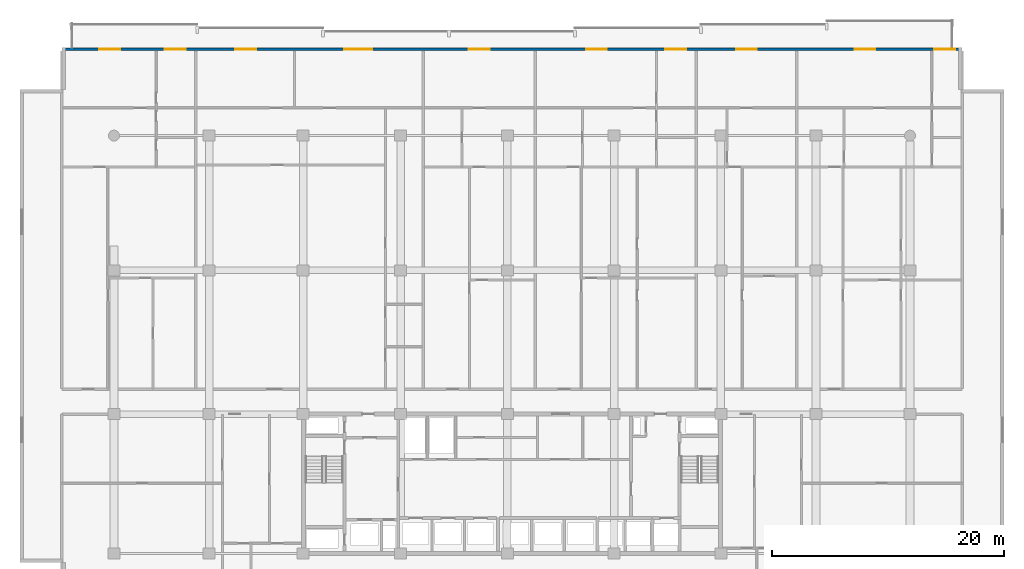
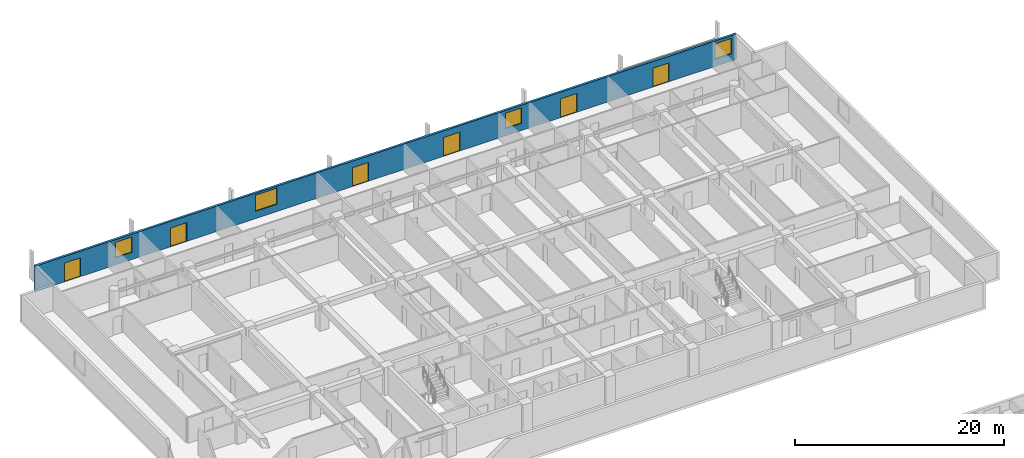
# One storey, part 17 of 24: 6 doors, 4 windows, 1 wall, 10 openings.
"""IFC4 building model written with IfcOpenShell, lengths in metres."""

from ifc_helpers import new_model, si_unit, direction, frame, frame_2d, origin, place, context, subcontext, project, spatial, rectangle, extrude, material, layer, layer_set, type_object, element, fill, save


model = new_model("IFC4")

# Units and contexts
model_context = context("Model", 3, precision=1e-05, world=origin(), true_north=direction((0.0, 1.0)))
body_context = subcontext(model_context, "Body", "Model", "MODEL_VIEW")
ifc_project = project(units=[si_unit("LENGTHUNIT", "METRE"), si_unit("AREAUNIT", "SQUARE_METRE"), si_unit("VOLUMEUNIT", "CUBIC_METRE"), si_unit("PLANEANGLEUNIT", "RADIAN"), si_unit("MASSUNIT", "GRAM", prefix="KILO")], contexts=[model_context])

# Site, building, storey
site_placement = place(None, origin())
site = spatial("IfcSite", under=ifc_project, at=site_placement, CompositionType="ELEMENT")
building_placement = place(site_placement, origin())
building = spatial("IfcBuilding", under=site, at=building_placement, Name="Korimba Cascade Residences", CompositionType="ELEMENT")
storey_placement = place(building_placement, frame((0.0, 0.0, 63.0)))
storey = spatial("IfcBuildingStorey", under=building, at=storey_placement, Name="L17", CompositionType="ELEMENT", Elevation=63.0)

# Wall, openings, doors, windows
ifc_material_1 = material(Name="Precast concrete C40/50", Category="concrete")
ifc_layer = layer(ifc_material_1, 0.25)
ifc_layer_set = layer_set([ifc_layer], Name="Precast concrete C40/50")
wall_type = type_object("IfcWallType", Name="EW-LOG-250", PredefinedType="STANDARD", material=ifc_layer_set)
wall_placement = place(storey_placement, frame((132.89990234375, 98.64990234375, 0.0), z_axis=(0.0, 0.0, 1.0), x_axis=(-1.0, 0.0, 0.0)))
wall = element("IfcWall", 1, at=wall_placement, inside=storey, type_object=wall_type, Name="L17 T1 Perimeter Stone Wall E06", PredefinedType="STANDARD", context=body_context, shape_type="SweptSolid", body=[
    extrude(rectangle(XDim=77.599853515625, YDim=0.25, at=frame_2d((38.7998046875, 0.0))), origin(), (0.0, 0.0, 1.0), 2.969970703125),
])
opening_1_placement = place(wall_placement, frame((72.572998046875, 0.0, 0.0)))
opening_1 = element("IfcOpeningElement", 2, at=opening_1_placement, cuts=wall, Name="Opening D-LG1", PredefinedType="OPENING", context=body_context, shape_type="SweptSolid", body=[
    extrude(rectangle(XDim=1.800048828125, YDim=2.199951171875, at=frame_2d((0.89990234375, 1.10009765625))), frame((0.0, 0.135009765625, 0.0), z_axis=(0.0, -1.0, 0.0), x_axis=(1.0, 0.0, 0.0)), (0.0, 0.0, 1.0), 0.27001953125),
])
opening_2_placement = place(wall_placement, frame((66.915771484375, 0.0, 0.85009765625)))
opening_2 = element("IfcOpeningElement", 3, at=opening_2_placement, cuts=wall, Name="Opening W-02", PredefinedType="OPENING", context=body_context, shape_type="SweptSolid", body=[
    extrude(rectangle(XDim=1.800048828125, YDim=1.800048828125, at=frame_2d((0.89990234375, 0.89990234375))), frame((0.0, 0.135009765625, 0.0), z_axis=(0.0, -1.0, 0.0), x_axis=(1.0, 0.0, 0.0)), (0.0, 0.0, 1.0), 0.27001953125),
])
opening_3_placement = place(wall_placement, frame((60.83544921875, 0.0, 0.0)))
opening_3 = element("IfcOpeningElement", 4, at=opening_3_placement, cuts=wall, Name="Opening D-LG1", PredefinedType="OPENING", context=body_context, shape_type="SweptSolid", body=[
    extrude(rectangle(XDim=1.800048828125, YDim=2.199951171875, at=frame_2d((0.89990234375, 1.10009765625))), frame((0.0, 0.135009765625, 0.0), z_axis=(0.0, -1.0, 0.0), x_axis=(1.0, 0.0, 0.0)), (0.0, 0.0, 1.0), 0.27001953125),
])
opening_4_placement = place(wall_placement, frame((50.850341796875, 0.0, 0.85009765625)))
opening_4 = element("IfcOpeningElement", 5, at=opening_4_placement, cuts=wall, Name="Opening W-01", PredefinedType="OPENING", context=body_context, shape_type="SweptSolid", body=[
    extrude(rectangle(XDim=2.39990234375, YDim=1.89990234375, at=frame_2d((1.199951171875, 0.949951171875))), frame((0.0, 0.135009765625, 0.0), z_axis=(0.0, -1.0, 0.0), x_axis=(1.0, 0.0, 0.0)), (0.0, 0.0, 1.0), 0.27001953125),
])
opening_5_placement = place(wall_placement, frame((40.716064453125, 0.0, 0.0)))
opening_5 = element("IfcOpeningElement", 6, at=opening_5_placement, cuts=wall, Name="Opening D-LG1", PredefinedType="OPENING", context=body_context, shape_type="SweptSolid", body=[
    extrude(rectangle(XDim=1.800048828125, YDim=2.199951171875, at=frame_2d((0.89990234375, 1.10009765625))), frame((0.0, 0.135009765625, 0.0), z_axis=(0.0, -1.0, 0.0), x_axis=(1.0, 0.0, 0.0)), (0.0, 0.0, 1.0), 0.27001953125),
])
opening_6_placement = place(wall_placement, frame((30.61572265625, 0.0, 0.0)))
opening_6 = element("IfcOpeningElement", 7, at=opening_6_placement, cuts=wall, Name="Opening D-LG1", PredefinedType="OPENING", context=body_context, shape_type="SweptSolid", body=[
    extrude(rectangle(XDim=1.800048828125, YDim=2.199951171875, at=frame_2d((0.89990234375, 1.10009765625))), frame((0.0, 0.135009765625, 0.0), z_axis=(0.0, -1.0, 0.0), x_axis=(1.0, 0.0, 0.0)), (0.0, 0.0, 1.0), 0.27001953125),
])
opening_7_placement = place(wall_placement, frame((23.8046875, 0.0, 0.85009765625)))
opening_7 = element("IfcOpeningElement", 8, at=opening_7_placement, cuts=wall, Name="Opening W-02", PredefinedType="OPENING", context=body_context, shape_type="SweptSolid", body=[
    extrude(rectangle(XDim=1.800048828125, YDim=1.800048828125, at=frame_2d((0.89990234375, 0.89990234375))), frame((0.0, 0.135009765625, 0.0), z_axis=(0.0, -1.0, 0.0), x_axis=(1.0, 0.0, 0.0)), (0.0, 0.0, 1.0), 0.27001953125),
])
opening_8_placement = place(wall_placement, frame((17.694580078125, 0.0, 0.0)))
opening_8 = element("IfcOpeningElement", 9, at=opening_8_placement, cuts=wall, Name="Opening D-LG1", PredefinedType="OPENING", context=body_context, shape_type="SweptSolid", body=[
    extrude(rectangle(XDim=1.800048828125, YDim=2.199951171875, at=frame_2d((0.89990234375, 1.10009765625))), frame((0.0, 0.135009765625, 0.0), z_axis=(0.0, -1.0, 0.0), x_axis=(1.0, 0.0, 0.0)), (0.0, 0.0, 1.0), 0.27001953125),
])
opening_9_placement = place(wall_placement, frame((7.477294921875, 0.0, 0.0)))
opening_9 = element("IfcOpeningElement", 10, at=opening_9_placement, cuts=wall, Name="Opening D-LG1", PredefinedType="OPENING", context=body_context, shape_type="SweptSolid", body=[
    extrude(rectangle(XDim=1.800048828125, YDim=2.199951171875, at=frame_2d((0.89990234375, 1.10009765625))), frame((0.0, 0.135009765625, 0.0), z_axis=(0.0, -1.0, 0.0), x_axis=(1.0, 0.0, 0.0)), (0.0, 0.0, 1.0), 0.27001953125),
])
opening_10_placement = place(wall_placement, frame((0.60009765625, 0.0, 0.85009765625)))
opening_10 = element("IfcOpeningElement", 11, at=opening_10_placement, cuts=wall, Name="Opening W-02", PredefinedType="OPENING", context=body_context, shape_type="SweptSolid", body=[
    extrude(rectangle(XDim=1.800048828125, YDim=1.800048828125, at=frame_2d((0.89990234375, 0.89990234375))), frame((0.0, 0.135009765625, 0.0), z_axis=(0.0, -1.0, 0.0), x_axis=(1.0, 0.0, 0.0)), (0.0, 0.0, 1.0), 0.27001953125),
])
ifc_material_2 = material(Name="Glazed Aluminium Loggia Sliding Door", Category="aluminium")
door_type = type_object("IfcDoorType", Name="DR-EXT-LOG", OperationType="NOTDEFINED", PredefinedType="DOOR", material=ifc_material_2)
door_1_placement = place(opening_1_placement, origin())
door_1 = element("IfcDoor", 12, at=door_1_placement, inside=storey, type_object=door_type, Name="L17 T1 Loggia Sliding Door 3", OperationType="SLIDING_TO_LEFT", OverallHeight=2.199951171875, OverallWidth=1.800048828125, PredefinedType="DOOR", context=body_context, shape_type="SweptSolid", body=[
    extrude(rectangle(XDim=1.800048828125, YDim=2.199951171875, at=frame_2d((0.89990234375, 1.10009765625))), frame((0.0, 0.02490234375, 0.0), z_axis=(0.0, -1.0, 0.0), x_axis=(1.0, 0.0, 0.0)), (0.0, 0.0, 1.0), 0.050048828125),
])
fill(opening_1, door_1)
door_2_placement = place(opening_3_placement, origin())
door_2 = element("IfcDoor", 13, at=door_2_placement, inside=storey, type_object=door_type, Name="L17 T1 Loggia Sliding Door 5", OperationType="SLIDING_TO_LEFT", OverallHeight=2.199951171875, OverallWidth=1.800048828125, PredefinedType="DOOR", context=body_context, shape_type="SweptSolid", body=[
    extrude(rectangle(XDim=1.800048828125, YDim=2.199951171875, at=frame_2d((0.89990234375, 1.10009765625))), frame((0.0, 0.02490234375, 0.0), z_axis=(0.0, -1.0, 0.0), x_axis=(1.0, 0.0, 0.0)), (0.0, 0.0, 1.0), 0.050048828125),
])
fill(opening_3, door_2)
door_3_placement = place(opening_5_placement, origin())
door_3 = element("IfcDoor", 14, at=door_3_placement, inside=storey, type_object=door_type, Name="L17 T1 Loggia Sliding Door 7", OperationType="SLIDING_TO_LEFT", OverallHeight=2.199951171875, OverallWidth=1.800048828125, PredefinedType="DOOR", context=body_context, shape_type="SweptSolid", body=[
    extrude(rectangle(XDim=1.800048828125, YDim=2.199951171875, at=frame_2d((0.89990234375, 1.10009765625))), frame((0.0, 0.02490234375, 0.0), z_axis=(0.0, -1.0, 0.0), x_axis=(1.0, 0.0, 0.0)), (0.0, 0.0, 1.0), 0.050048828125),
])
fill(opening_5, door_3)
door_4_placement = place(opening_6_placement, origin())
door_4 = element("IfcDoor", 15, at=door_4_placement, inside=storey, type_object=door_type, Name="L17 T1 Loggia Sliding Door 8", OperationType="SLIDING_TO_LEFT", OverallHeight=2.199951171875, OverallWidth=1.800048828125, PredefinedType="DOOR", context=body_context, shape_type="SweptSolid", body=[
    extrude(rectangle(XDim=1.800048828125, YDim=2.199951171875, at=frame_2d((0.89990234375, 1.10009765625))), frame((0.0, 0.02490234375, 0.0), z_axis=(0.0, -1.0, 0.0), x_axis=(1.0, 0.0, 0.0)), (0.0, 0.0, 1.0), 0.050048828125),
])
fill(opening_6, door_4)
door_5_placement = place(opening_8_placement, origin())
door_5 = element("IfcDoor", 16, at=door_5_placement, inside=storey, type_object=door_type, Name="L17 T1 Loggia Sliding Door 10", OperationType="SLIDING_TO_LEFT", OverallHeight=2.199951171875, OverallWidth=1.800048828125, PredefinedType="DOOR", context=body_context, shape_type="SweptSolid", body=[
    extrude(rectangle(XDim=1.800048828125, YDim=2.199951171875, at=frame_2d((0.89990234375, 1.10009765625))), frame((0.0, 0.02490234375, 0.0), z_axis=(0.0, -1.0, 0.0), x_axis=(1.0, 0.0, 0.0)), (0.0, 0.0, 1.0), 0.050048828125),
])
fill(opening_8, door_5)
door_6_placement = place(opening_9_placement, origin())
door_6 = element("IfcDoor", 17, at=door_6_placement, inside=storey, type_object=door_type, Name="L17 T1 Loggia Sliding Door 11", OperationType="SLIDING_TO_LEFT", OverallHeight=2.199951171875, OverallWidth=1.800048828125, PredefinedType="DOOR", context=body_context, shape_type="SweptSolid", body=[
    extrude(rectangle(XDim=1.800048828125, YDim=2.199951171875, at=frame_2d((0.89990234375, 1.10009765625))), frame((0.0, 0.02490234375, 0.0), z_axis=(0.0, -1.0, 0.0), x_axis=(1.0, 0.0, 0.0)), (0.0, 0.0, 1.0), 0.050048828125),
])
fill(opening_9, door_6)
ifc_material_3 = material(Name="Double-Glazed Aluminium Window", Category="aluminium")
window_type_1 = type_object("IfcWindowType", Name="WIN-BED-1800", PartitioningType="SINGLE_PANEL", PredefinedType="WINDOW", material=ifc_material_3)
window_1_placement = place(opening_2_placement, origin())
window_1 = element("IfcWindow", 18, at=window_1_placement, inside=storey, type_object=window_type_1, Name="L17 T1 North Facade Window 4", OverallHeight=1.800048828125, OverallWidth=1.800048828125, PartitioningType="SINGLE_PANEL", PredefinedType="WINDOW", context=body_context, shape_type="SweptSolid", body=[
    extrude(rectangle(XDim=1.800048828125, YDim=1.800048828125, at=frame_2d((0.89990234375, 0.89990234375))), frame((0.0, 0.030029296875, 0.0), z_axis=(0.0, -1.0, 0.0), x_axis=(1.0, 0.0, 0.0)), (0.0, 0.0, 1.0), 0.06005859375),
])
fill(opening_2, window_1)
window_2_placement = place(opening_7_placement, origin())
window_2 = element("IfcWindow", 19, at=window_2_placement, inside=storey, type_object=window_type_1, Name="L17 T1 North Facade Window 9", OverallHeight=1.800048828125, OverallWidth=1.800048828125, PartitioningType="SINGLE_PANEL", PredefinedType="WINDOW", context=body_context, shape_type="SweptSolid", body=[
    extrude(rectangle(XDim=1.800048828125, YDim=1.800048828125, at=frame_2d((0.89990234375, 0.89990234375))), frame((0.0, 0.030029296875, 0.0), z_axis=(0.0, -1.0, 0.0), x_axis=(1.0, 0.0, 0.0)), (0.0, 0.0, 1.0), 0.06005859375),
])
fill(opening_7, window_2)
window_3_placement = place(opening_10_placement, origin())
window_3 = element("IfcWindow", 20, at=window_3_placement, inside=storey, type_object=window_type_1, Name="L17 T1 North Facade Window 12", OverallHeight=1.800048828125, OverallWidth=1.800048828125, PartitioningType="SINGLE_PANEL", PredefinedType="WINDOW", context=body_context, shape_type="SweptSolid", body=[
    extrude(rectangle(XDim=1.800048828125, YDim=1.800048828125, at=frame_2d((0.89990234375, 0.89990234375))), frame((0.0, 0.030029296875, 0.0), z_axis=(0.0, -1.0, 0.0), x_axis=(1.0, 0.0, 0.0)), (0.0, 0.0, 1.0), 0.06005859375),
])
fill(opening_10, window_3)
window_type_2 = type_object("IfcWindowType", Name="WIN-RES-2400", PartitioningType="DOUBLE_PANEL_VERTICAL", PredefinedType="WINDOW", material=ifc_material_3)
window_4_placement = place(opening_4_placement, origin())
window_4 = element("IfcWindow", 21, at=window_4_placement, inside=storey, type_object=window_type_2, Name="L17 T1 North Facade Window 6", OverallHeight=1.89990234375, OverallWidth=2.39990234375, PartitioningType="DOUBLE_PANEL_VERTICAL", PredefinedType="WINDOW", context=body_context, shape_type="SweptSolid", body=[
    extrude(rectangle(XDim=2.39990234375, YDim=1.89990234375, at=frame_2d((1.199951171875, 0.949951171875))), frame((0.0, 0.030029296875, 0.0), z_axis=(0.0, -1.0, 0.0), x_axis=(1.0, 0.0, 0.0)), (0.0, 0.0, 1.0), 0.06005859375),
])
fill(opening_4, window_4)

save(model, "model.ifc")
